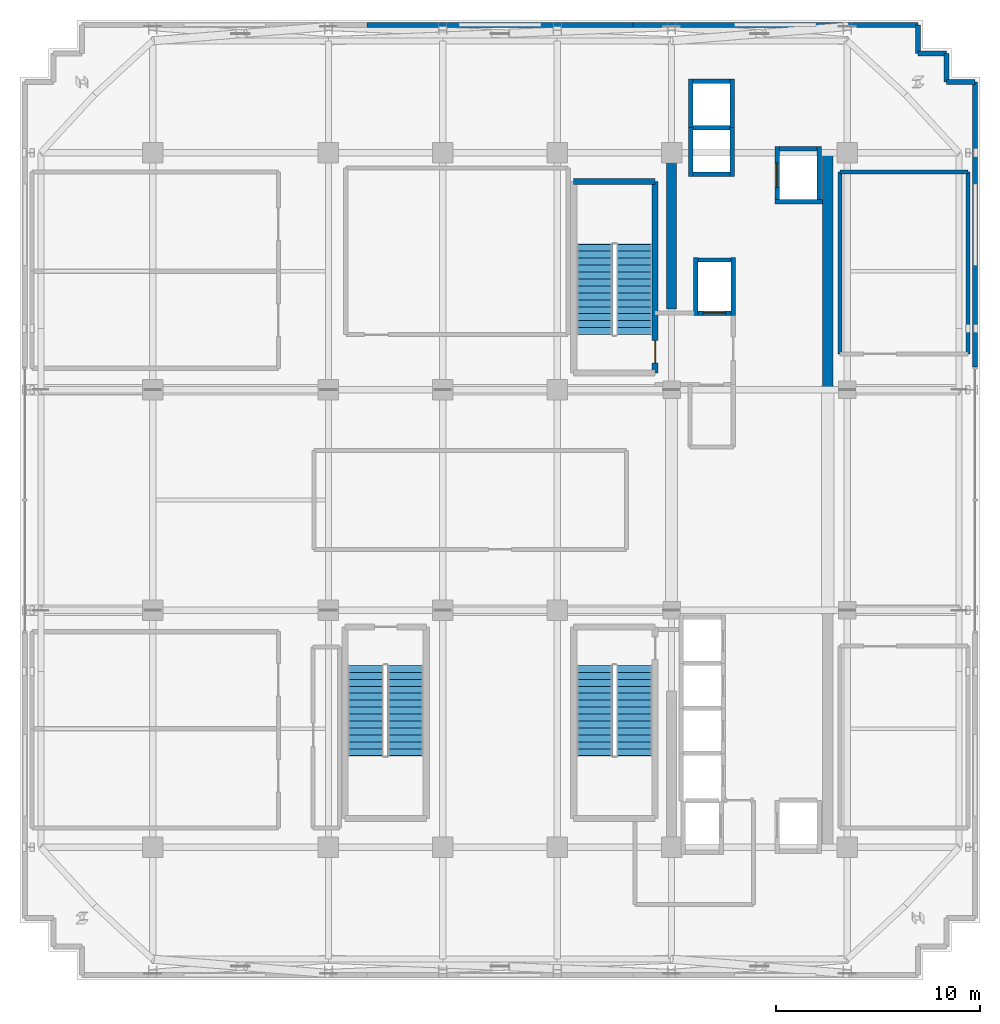
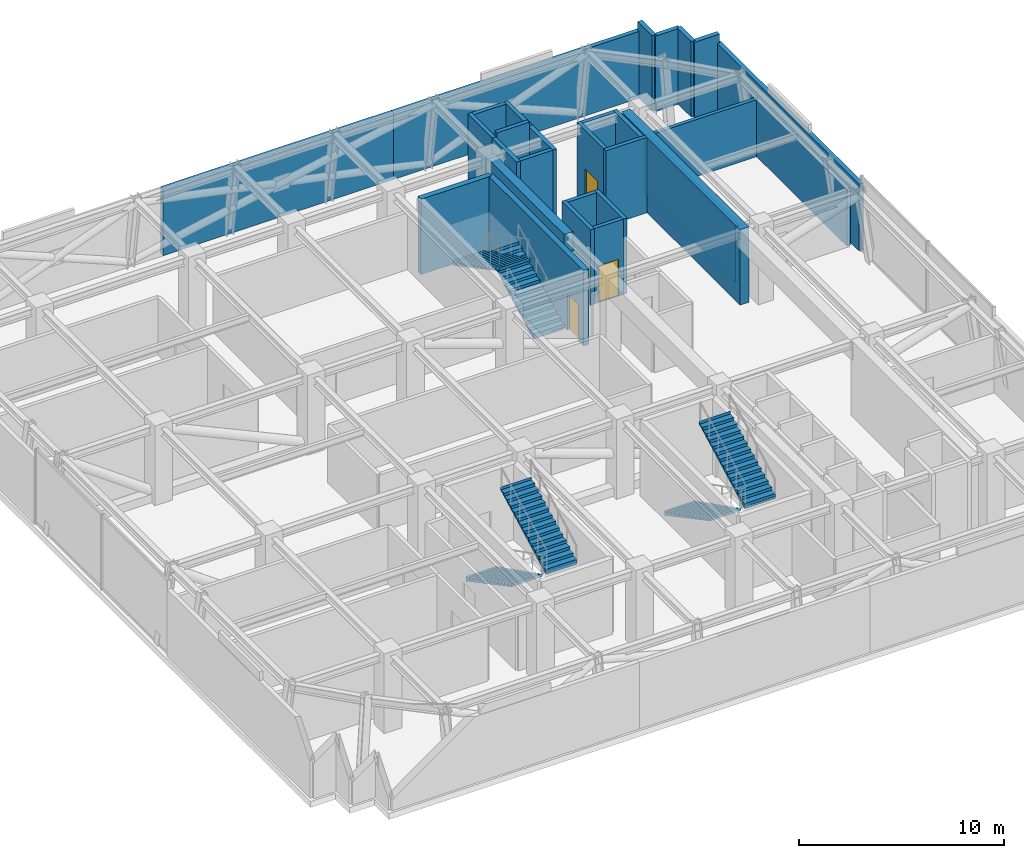
# One storey, part 11 of 15: 29 walls, 6 stair flights, 3 doors, 3 openings, 3 elements without a shape of their own.
"""IFC4 building model written with IfcOpenShell, lengths in metres."""

import ifcopenshell
import ifcopenshell.guid

model = None  # the IFC model being written
_history = None  # IfcOwnerHistory: only IFC2X3 demands one
_inside = {}  # id of a spatial element -> (the spatial element, [elements in it])
_under = {}  # id of a project, library or spatial element -> (it, [spatial elements below it])
_declared = {}  # id of a project -> (the project, [libraries it declares])
_typed = {}  # id of a type object -> (the type object, [elements of that type])
_made_of = {}  # id of a material, layer set ... -> (it, [elements and type objects made of it])


def new_model(schema):
    """Start an empty IFC model of exactly this schema.

    Asked for "IFC4X3", IfcOpenShell would pick the latest addendum, in which some entities
    have other attributes; the version numbers below select the first issue.
    IFC2X3 requires an IfcOwnerHistory on every rooted entity: one is made here for all.
    """
    global model, _history
    if schema == "IFC4X3":
        model = ifcopenshell.file(schema_version=(4, 3, 0, 0))
    else:
        model = ifcopenshell.file(schema=schema)
    _inside.clear()
    _under.clear()
    _declared.clear()
    _typed.clear()
    _made_of.clear()
    _history = None
    if model.schema == "IFC2X3":
        org = make("IfcOrganization", Name="unknown")
        user = make(
            "IfcPersonAndOrganization",
            ThePerson=make("IfcPerson", FamilyName="unknown"),
            TheOrganization=org,
        )
        app = make(
            "IfcApplication",
            ApplicationDeveloper=org,
            Version="unknown",
            ApplicationFullName="unknown",
            ApplicationIdentifier="unknown",
        )
        _history = make(
            "IfcOwnerHistory",
            OwningUser=user,
            OwningApplication=app,
            ChangeAction="ADDED",
            CreationDate=0,
        )
    return model


def make(cls, **values):
    """One entity of the class cls with the attributes given. An attribute that is None is left unset."""
    return model.create_entity(
        cls, **{name: value for name, value in values.items() if value is not None}
    )


def rooted(cls, **values):
    """An entity with a GlobalId (a new one), such as an element, a storey or a relation."""
    return make(cls, GlobalId=ifcopenshell.guid.new(), OwnerHistory=_history, **values)


def si_unit(unit_type, name, prefix=None):
    """IfcSIUnit, for example si_unit("LENGTHUNIT", "METRE", prefix="MILLI")."""
    return make("IfcSIUnit", UnitType=unit_type, Prefix=prefix, Name=name)


def assignment(units):
    """IfcUnitAssignment: the units of a project."""
    return None if units is None else make("IfcUnitAssignment", Units=units)


def point(xyz):
    """IfcCartesianPoint."""
    return None if xyz is None else make("IfcCartesianPoint", Coordinates=xyz)


def direction(xyz):
    """IfcDirection."""
    return None if xyz is None else make("IfcDirection", DirectionRatios=xyz)


def frame(location, z_axis=None, x_axis=None):
    """IfcAxis2Placement3D, a coordinate frame: its origin and axes. An axis left out is left unset."""
    return make(
        "IfcAxis2Placement3D",
        Location=point(location),
        Axis=direction(z_axis),
        RefDirection=direction(x_axis),
    )


def frame_2d(location, x_axis=None):
    """IfcAxis2Placement2D, a coordinate frame in the plane: its origin and x axis."""
    return make(
        "IfcAxis2Placement2D", Location=point(location), RefDirection=direction(x_axis)
    )


def origin():
    """The frame at (0, 0, 0) with its axes left unset."""
    return frame((0.0, 0.0, 0.0))


def place(relative_to, where):
    """IfcLocalPlacement: puts the frame where relative to a parent placement (None: the world)."""
    return make(
        "IfcLocalPlacement", PlacementRelTo=relative_to, RelativePlacement=where
    )


def context(
    kind, dimensions, precision=None, world=None, true_north=None, identifier=None
):
    """IfcGeometricRepresentationContext, for example the 3D "Model" context."""
    return make(
        "IfcGeometricRepresentationContext",
        ContextIdentifier=identifier,
        ContextType=kind,
        CoordinateSpaceDimension=dimensions,
        Precision=precision,
        WorldCoordinateSystem=world,
        TrueNorth=true_north,
    )


def subcontext(parent, identifier, kind, view, scale=None):
    """IfcGeometricRepresentationSubContext, for example "Body" below "Model"."""
    return make(
        "IfcGeometricRepresentationSubContext",
        ContextIdentifier=identifier,
        ContextType=kind,
        ParentContext=parent,
        TargetScale=scale,
        TargetView=view,
    )


def project(units=None, contexts=None):
    """IfcProject with its units and contexts."""
    return rooted(
        "IfcProject",
        Name="project",
        RepresentationContexts=contexts,
        UnitsInContext=assignment(units),
    )


def spatial(cls, under=None, at=None, **own):
    """A site, building, storey or space (cls), placed at a placement, below another one or the project."""
    s = rooted(cls, ObjectPlacement=at, **own)
    if under is not None:
        _under.setdefault(under.id(), (under, []))[1].append(s)
    return s


def polyline(points):
    """IfcPolyline through the points."""
    return make("IfcPolyline", Points=[point(p) for p in points])


def profile(cls, at=None, kind="AREA", **sizes):
    """A parametric profile (cls). Its sizes go by their IFC names, for example OverallWidth=200.0."""
    return make(cls, ProfileType=kind, Position=at, **sizes)


def rectangle(**sizes):
    """IfcRectangleProfileDef."""
    return profile("IfcRectangleProfileDef", **sizes)


def outline(outer, holes=None, kind="AREA"):
    """IfcArbitraryClosedProfileDef: a profile drawn as a closed curve; with holes, ...WithVoids."""
    if holes is None:
        return make("IfcArbitraryClosedProfileDef", ProfileType=kind, OuterCurve=outer)
    return make(
        "IfcArbitraryProfileDefWithVoids",
        ProfileType=kind,
        OuterCurve=outer,
        InnerCurves=holes,
    )


def extrude(swept, where, along, depth):
    """IfcExtrudedAreaSolid: the profile swept, set in the frame where, extruded along a direction by depth."""
    return make(
        "IfcExtrudedAreaSolid",
        SweptArea=swept,
        Position=where,
        ExtrudedDirection=direction(along),
        Depth=depth,
    )


def shape(context_of_items, identifier, shape_type, items):
    """IfcShapeRepresentation: the items that make up one representation, for example the "Body"."""
    return make(
        "IfcShapeRepresentation",
        ContextOfItems=context_of_items,
        RepresentationIdentifier=identifier,
        RepresentationType=shape_type,
        Items=items,
    )


def source(mapping_origin, context_of_items, identifier, shape_type, items):
    """IfcRepresentationMap: a shape defined once, which mapped items show again and again."""
    return make(
        "IfcRepresentationMap",
        MappingOrigin=mapping_origin,
        MappedRepresentation=shape(context_of_items, identifier, shape_type, items),
    )


def transform(
    local_origin,
    x_axis=None,
    y_axis=None,
    z_axis=None,
    scale=None,
    scale2=None,
    scale3=None,
    uniform=True,
):
    """IfcCartesianTransformationOperator3D, or its non-uniform kind. x_axis, y_axis, z_axis: its Axis1, 2, 3."""
    if uniform:
        return make(
            "IfcCartesianTransformationOperator3D",
            Axis1=direction(x_axis),
            Axis2=direction(y_axis),
            LocalOrigin=point(local_origin),
            Scale=scale,
            Axis3=direction(z_axis),
        )
    return make(
        "IfcCartesianTransformationOperator3DnonUniform",
        Axis1=direction(x_axis),
        Axis2=direction(y_axis),
        LocalOrigin=point(local_origin),
        Scale=scale,
        Axis3=direction(z_axis),
        Scale2=scale2,
        Scale3=scale3,
    )


def mapped(mapping_source, mapping_target):
    """IfcMappedItem: shows the shape of a source again, moved by a transform."""
    return make(
        "IfcMappedItem", MappingSource=mapping_source, MappingTarget=mapping_target
    )


def material(Name=None, Category=None):
    """IfcMaterial."""
    return make("IfcMaterial", Name=Name, Category=Category)


def layer(
    of_material, thickness, ventilated=None, Name=None, Category=None, Priority=None
):
    """IfcMaterialLayer: one layer of a wall or slab, of a material (None: an air gap)."""
    return make(
        "IfcMaterialLayer",
        Material=of_material,
        LayerThickness=thickness,
        IsVentilated=ventilated,
        Name=Name,
        Category=Category,
        Priority=Priority,
    )


def layer_set(layers, Name=None):
    """IfcMaterialLayerSet."""
    return make("IfcMaterialLayerSet", MaterialLayers=layers, LayerSetName=Name)


def made_of(thing, what):
    """Note that an element or type object is made of a material, layer set ...; save() writes the relation."""
    if what is not None:
        _made_of.setdefault(what.id(), (what, []))[1].append(thing)
    return thing


def type_object(cls, material=None, **own):
    """A type object (cls), such as IfcWallType, which elements share."""
    return made_of(rooted(cls, **own), material)


def element(
    cls,
    number,
    at=None,
    inside=None,
    cuts=None,
    type_object=None,
    material=None,
    context=None,
    identifier="Body",
    shape_type=None,
    held_by="IfcProductDefinitionShape",
    body=None,
    shapes=None,
    **own,
):
    """One element of the class cls, such as IfcWall. Its Tag is "e" and its number.

    at: its placement. inside: the storey or other place that contains it. cuts: it is an
    opening in that element (IfcRelVoidsElement). A single representation is given by context,
    identifier, shape_type and body (its items); several are given by shapes. held_by: the class
    of the entity that holds the representations. save() writes the other relations.
    """
    e = rooted(cls, Tag="e%d" % number, ObjectPlacement=at, **own)
    if body is not None:
        shapes = [shape(context, identifier, shape_type, body)]
    if shapes is not None:
        e.Representation = make(held_by, Representations=shapes)
    if inside is not None:
        _inside.setdefault(inside.id(), (inside, []))[1].append(e)
    if cuts is not None:
        rooted(
            "IfcRelVoidsElement", RelatingBuildingElement=cuts, RelatedOpeningElement=e
        )
    if type_object is not None:
        _typed.setdefault(type_object.id(), (type_object, []))[1].append(e)
    return made_of(e, material)


def fill(opening, filler):
    """IfcRelFillsElement: the door or window that sits in an opening."""
    return rooted(
        "IfcRelFillsElement",
        RelatingOpeningElement=opening,
        RelatedBuildingElement=filler,
    )


def aggregate(whole, parts):
    """IfcRelAggregates: a whole, such as a stair, and the parts it consists of."""
    return rooted("IfcRelAggregates", RelatingObject=whole, RelatedObjects=parts)


def save(model, path):
    """Write the relations noted so far, then the file.

    IfcRelAggregates (storeys below a building ...), IfcRelContainedInSpatialStructure (elements
    in a storey), IfcRelDefinesByType, IfcRelAssociatesMaterial and IfcRelDeclares: one each for
    every whole, place, type object, material and project.
    """
    for whole, parts in _under.values():
        aggregate(whole, parts)
    for where, things in _inside.values():
        rooted(
            "IfcRelContainedInSpatialStructure",
            RelatedElements=things,
            RelatingStructure=where,
        )
    for kind, things in _typed.values():
        rooted("IfcRelDefinesByType", RelatedObjects=things, RelatingType=kind)
    for what, things in _made_of.values():
        rooted("IfcRelAssociatesMaterial", RelatedObjects=things, RelatingMaterial=what)
    for by, libraries in _declared.values():
        rooted("IfcRelDeclares", RelatingContext=by, RelatedDefinitions=libraries)
    model.write(path)


model = new_model("IFC4")

# Units and contexts
model_context = context("Model", 3, precision=1e-05, world=origin(), true_north=direction((0.0, 1.0)))
body_context = subcontext(model_context, "Body", "Model", "MODEL_VIEW")
ifc_project = project(units=[si_unit("LENGTHUNIT", "METRE"), si_unit("AREAUNIT", "SQUARE_METRE"), si_unit("VOLUMEUNIT", "CUBIC_METRE"), si_unit("PLANEANGLEUNIT", "RADIAN"), si_unit("MASSUNIT", "GRAM", prefix="KILO")], contexts=[model_context])

# Site, building, storey
site_placement = place(None, origin())
site = spatial("IfcSite", under=ifc_project, at=site_placement, CompositionType="ELEMENT")
building_placement = place(site_placement, origin())
building = spatial("IfcBuilding", under=site, at=building_placement, Name="Nahalor Promenade Grand Hotel", CompositionType="ELEMENT")
storey_placement = place(building_placement, frame((0.0, 0.0, 261.5)))
storey = spatial("IfcBuildingStorey", under=building, at=storey_placement, Name="L67", CompositionType="ELEMENT", Elevation=261.5)

# Walls
ifc_material_1 = material(Name="Concrete B-60 (C50/60)", Category="concrete")
ifc_layer_1 = layer(ifc_material_1, 0.5)
ifc_layer_set_1 = layer_set([ifc_layer_1], Name="Concrete B-60 (C50/60)")
wall_type_1 = type_object("IfcWallType", Name="Wall-CoreShear-500", PredefinedType="SHEAR", material=ifc_layer_set_1)
shared_shape_1 = source(origin(), body_context, "Body", "SweptSolid", [
    extrude(rectangle(XDim=7.64990234375, YDim=0.5, at=frame_2d((3.824951171875, 0.0))), origin(), (0.0, 0.0, 1.0), 4.5),
])
wall_1_placement = place(storey_placement, frame((8.39990234375, 9.35009765625, 0.0), z_axis=(0.0, 0.0, 1.0), x_axis=(0.0, 1.0, 0.0)))
element("IfcWall", 1, at=wall_1_placement, inside=storey, type_object=wall_type_1, Name="CWALL-L67-NW", PredefinedType="SHEAR", context=body_context, shape_type="MappedRepresentation", body=[
    mapped(shared_shape_1, transform((0.0, 0.0, 0.0), scale=1.0)),
])
shared_shape_2 = source(origin(), body_context, "Body", "SweptSolid", [
    extrude(rectangle(XDim=11.60009765625, YDim=0.5, at=frame_2d((5.800048828125, 0.0))), origin(), (0.0, 0.0, 1.0), 4.5),
])
wall_2_placement = place(storey_placement, frame((16.050048828125, 5.39990234375, 0.0), z_axis=(0.0, 0.0, 1.0), x_axis=(0.0, 1.0, 0.0)))
element("IfcWall", 2, at=wall_2_placement, inside=storey, type_object=wall_type_1, Name="CWALL-L67-NE", PredefinedType="SHEAR", context=body_context, shape_type="MappedRepresentation", body=[
    mapped(shared_shape_2, transform((0.0, 0.0, 0.0), scale=1.0)),
])
ifc_material_2 = material(Name="Concrete B-50 (C40/50)", Category="concrete")
ifc_layer_2 = layer(ifc_material_2, 0.300048828125)
ifc_layer_set_2 = layer_set([ifc_layer_2], Name="Concrete B-50 (C40/50)")
wall_type_2 = type_object("IfcWallType", Name="Wall-ShaftShear-300", PredefinedType="SHEAR", material=ifc_layer_set_2)
shared_shape_3 = source(origin(), body_context, "Body", "SweptSolid", [
    extrude(rectangle(XDim=3.97998046875, YDim=0.300048828125, at=frame_2d((1.989990234375, 0.0))), origin(), (0.0, 0.0, 1.0), 4.5),
])
wall_3_placement = place(storey_placement, frame((3.610107421875, 15.590087890625, 0.0), z_axis=(0.0, 0.0, 1.0), x_axis=(1.0, 0.0, 0.0)))
element("IfcWall", 3, at=wall_3_placement, inside=storey, type_object=wall_type_2, Name="L67 Exit Stair ST1 Shaft Wall N", PredefinedType="SHEAR", context=body_context, shape_type="MappedRepresentation", body=[
    mapped(shared_shape_3, transform((0.0, 0.0, 0.0), scale=1.0)),
])

# Wall, opening, door
shared_shape_4 = source(origin(), body_context, "Body", "SweptSolid", [
    extrude(rectangle(XDim=9.380126953125, YDim=0.300048828125, at=frame_2d((4.68994140625, 0.0))), origin(), (0.0, 0.0, 1.0), 4.5),
])
wall_4_placement = place(storey_placement, frame((7.590087890625, 6.2099609375, 0.0), z_axis=(0.0, 0.0, 1.0), x_axis=(0.0, 1.0, 0.0)))
wall_4 = element("IfcWall", 4, at=wall_4_placement, inside=storey, type_object=wall_type_2, Name="L67 Exit Stair ST1 Shaft Wall E", PredefinedType="SHEAR", context=body_context, shape_type="MappedRepresentation", body=[
    mapped(shared_shape_4, transform((0.0, 0.0, 0.0), scale=1.0)),
])
opening_1_placement = place(wall_4_placement, frame((0.489990234375, 0.0, 0.0)))
opening_1 = element("IfcOpeningElement", 5, at=opening_1_placement, cuts=wall_4, Name="Opening D-ST1", PredefinedType="OPENING", context=body_context, shape_type="SweptSolid", body=[
    extrude(rectangle(XDim=1.10009765625, YDim=2.14990234375, at=frame_2d((0.550048828125, 1.074951171875))), frame((0.0, 0.159912109375, 0.0), z_axis=(0.0, -1.0, 0.0), x_axis=(1.0, 0.0, 0.0)), (0.0, 0.0, 1.0), 0.320068359375),
])
ifc_material_3 = material(Name="Steel S355JR", Category="steel")
door_type_1 = type_object("IfcDoorType", Name="Door-StairFire-1100", OperationType="NOTDEFINED", PredefinedType="DOOR", material=ifc_material_3)
shared_shape_5 = source(origin(), body_context, "Body", "SweptSolid", [
    extrude(rectangle(XDim=1.10009765625, YDim=2.14990234375, at=frame_2d((0.550048828125, 1.074951171875))), frame((0.0, 0.02490234375, 0.0), z_axis=(0.0, -1.0, 0.0), x_axis=(1.0, 0.0, 0.0)), (0.0, 0.0, 1.0), 0.050048828125),
])
door_1_placement = place(opening_1_placement, origin())
door_1 = element("IfcDoor", 6, at=door_1_placement, inside=storey, type_object=door_type_1, Name="DR-STAIR-ST1-L67", OperationType="SINGLE_SWING_RIGHT", OverallHeight=2.14990234375, OverallWidth=1.10009765625, PredefinedType="DOOR", context=body_context, shape_type="MappedRepresentation", body=[
    mapped(shared_shape_5, transform((0.0, 0.0, 0.0), scale=1.0)),
])
fill(opening_1, door_1)

# Walls
ifc_layer_3 = layer(ifc_material_2, 0.219970703125)
ifc_layer_set_3 = layer_set([ifc_layer_3], Name="Concrete B-50 (C40/50)")
wall_type_3 = type_object("IfcWallType", Name="Wall-LiftShaft-220", PredefinedType="SHEAR", material=ifc_layer_set_3)
shared_shape_6 = source(origin(), body_context, "Body", "SweptSolid", [
    extrude(rectangle(XDim=1.820068359375, YDim=0.219970703125, at=frame_2d((0.91015625, 0.0))), origin(), (0.0, 0.0, 1.0), 4.800048828125),
])
wall_5_placement = place(storey_placement, frame((9.43994140625, 18.22509765625, 0.0), z_axis=(0.0, 0.0, 1.0), x_axis=(1.0, 0.0, 0.0)))
element("IfcWall", 7, at=wall_5_placement, inside=storey, type_object=wall_type_3, Name="L67 Lift OB1 Hoistway Wall N", PredefinedType="SHEAR", context=body_context, shape_type="MappedRepresentation", body=[
    mapped(shared_shape_6, transform((0.0, 0.0, 0.0), scale=1.0)),
])
shared_shape_7 = source(origin(), body_context, "Body", "SweptSolid", [
    extrude(rectangle(XDim=1.820068359375, YDim=0.219970703125, at=frame_2d((0.91015625, 0.0))), origin(), (0.0, 0.0, 1.0), 4.5),
])
for number, where, z_axis, x_axis, name in (
    (8, (9.43994140625, 15.949951171875, 0.0), (0.0, 0.0, 1.0), (1.0, 0.0, 0.0), "L67 Lift OB1 Hoistway Wall S"),
    (9, (9.43994140625, 20.5, 0.0), (0.0, 0.0, 1.0), (1.0, 0.0, 0.0), "L67 Lift OB2 Hoistway Wall N"),
    (10, (13.68994140625, 17.199951171875, 0.0), (0.0, 0.0, 1.0), (1.0, 0.0, 0.0), "L67 Lift SV1 Hoistway Wall N"),
):
    element("IfcWall", number, at=place(storey_placement, frame(where, z_axis=z_axis, x_axis=x_axis)), inside=storey, type_object=wall_type_3, Name=name, PredefinedType="SHEAR", context=body_context, shape_type="MappedRepresentation", body=[
        mapped(shared_shape_7, transform((0.0, 0.0, 0.0), scale=1.0)),
    ])
shared_shape_8 = source(origin(), body_context, "Body", "SweptSolid", [
    extrude(rectangle(XDim=2.385009765625, YDim=0.219970703125, at=frame_2d((1.1923828125, 0.0))), origin(), (0.0, 0.0, 1.0), 4.5),
])
for number, where, z_axis, x_axis, name in (
    (11, (9.330078125, 15.840087890625, 0.0), (0.0, 0.0, 1.0), (0.0, 1.0, 0.0), "L67 Lift OB1 Hoistway Wall W"),
    (12, (11.3701171875, 15.840087890625, 0.0), (0.0, 0.0, 1.0), (0.0, 1.0, 0.0), "L67 Lift OB1 Hoistway Wall E"),
    (13, (9.330078125, 18.22509765625, 0.0), (0.0, 0.0, 1.0), (0.0, 1.0, 0.0), "L67 Lift OB2 Hoistway Wall W"),
    (14, (11.3701171875, 18.22509765625, 0.0), (0.0, 0.0, 1.0), (0.0, 1.0, 0.0), "L67 Lift OB2 Hoistway Wall E"),
):
    element("IfcWall", number, at=place(storey_placement, frame(where, z_axis=z_axis, x_axis=x_axis)), inside=storey, type_object=wall_type_3, Name=name, PredefinedType="SHEAR", context=body_context, shape_type="MappedRepresentation", body=[
        mapped(shared_shape_8, transform((0.0, 0.0, 0.0), scale=1.0)),
    ])
shared_shape_9 = source(origin(), body_context, "Body", "SweptSolid", [
    extrude(rectangle(XDim=2.820068359375, YDim=0.219970703125, at=frame_2d((1.41015625, 0.0))), origin(), (0.0, 0.0, 1.0), 4.5),
])
for number, where, z_axis, x_axis, name in (
    (15, (9.580078125, 9.0400390625, 0.0), (0.0, 0.0, 1.0), (0.0, 1.0, 0.0), "L67 Lift FL1 Hoistway Wall W"),
    (16, (11.419921875, 9.0400390625, 0.0), (0.0, 0.0, 1.0), (0.0, 1.0, 0.0), "L67 Lift FL1 Hoistway Wall E"),
):
    element("IfcWall", number, at=place(storey_placement, frame(where, z_axis=z_axis, x_axis=x_axis)), inside=storey, type_object=wall_type_3, Name=name, PredefinedType="SHEAR", context=body_context, shape_type="MappedRepresentation", body=[
        mapped(shared_shape_9, transform((0.0, 0.0, 0.0), scale=1.0)),
    ])

# Wall, opening, door
shared_shape_10 = source(origin(), body_context, "Body", "SweptSolid", [
    extrude(rectangle(XDim=1.6201171875, YDim=0.219970703125, at=frame_2d((0.81005859375, 0.0))), origin(), (0.0, 0.0, 1.0), 4.5),
])
wall_6_placement = place(storey_placement, frame((9.68994140625, 9.14990234375, 0.0), z_axis=(0.0, 0.0, 1.0), x_axis=(1.0, 0.0, 0.0)))
wall_6 = element("IfcWall", 17, at=wall_6_placement, inside=storey, type_object=wall_type_3, Name="L67 Lift FL1 Hoistway Wall S", PredefinedType="SHEAR", context=body_context, shape_type="MappedRepresentation", body=[
    mapped(shared_shape_10, transform((0.0, 0.0, 0.0), scale=1.0)),
])
opening_2_placement = place(wall_6_placement, frame((0.260009765625, 0.0, 0.0)))
opening_2 = element("IfcOpeningElement", 18, at=opening_2_placement, cuts=wall_6, Name="Opening LD-02", PredefinedType="OPENING", context=body_context, shape_type="SweptSolid", body=[
    extrude(rectangle(XDim=1.10009765625, YDim=2.199951171875, at=frame_2d((0.550048828125, 1.10009765625))), frame((0.0, 0.119873046875, 0.0), z_axis=(0.0, -1.0, 0.0), x_axis=(1.0, 0.0, 0.0)), (0.0, 0.0, 1.0), 0.239990234375),
])
door_type_2 = type_object("IfcDoorType", Name="Door-LiftFF-1100", OperationType="DOUBLE_DOOR_SLIDING", PredefinedType="DOOR", material=ifc_material_3)
shared_shape_11 = source(origin(), body_context, "Body", "SweptSolid", [
    extrude(rectangle(XDim=1.10009765625, YDim=2.199951171875, at=frame_2d((0.550048828125, 1.10009765625))), frame((0.0, 0.02490234375, 0.0), z_axis=(0.0, -1.0, 0.0), x_axis=(1.0, 0.0, 0.0)), (0.0, 0.0, 1.0), 0.050048828125),
])
door_2_placement = place(opening_2_placement, frame((1.10009765625, 0.0, 0.0), z_axis=(0.0, 0.0, 1.0), x_axis=(-1.0, 0.0, 0.0)))
door_2 = element("IfcDoor", 19, at=door_2_placement, inside=storey, type_object=door_type_2, Name="DR-LIFT-FL1-L67", OperationType="DOUBLE_DOOR_SLIDING", OverallHeight=2.199951171875, OverallWidth=1.10009765625, PredefinedType="DOOR", context=body_context, shape_type="MappedRepresentation", body=[
    mapped(shared_shape_11, transform((0.0, 0.0, 0.0), scale=1.0)),
])
fill(opening_2, door_2)

# Wall
wall_7_placement = place(storey_placement, frame((9.68994140625, 11.75, 0.0), z_axis=(0.0, 0.0, 1.0), x_axis=(1.0, 0.0, 0.0)))
element("IfcWall", 20, at=wall_7_placement, inside=storey, type_object=wall_type_3, Name="L67 Lift FL1 Hoistway Wall N", PredefinedType="SHEAR", context=body_context, shape_type="MappedRepresentation", body=[
    mapped(shared_shape_10, transform((0.0, 0.0, 0.0), scale=1.0)),
])

# Wall, opening, door
shared_shape_12 = source(origin(), body_context, "Body", "SweptSolid", [
    extrude(rectangle(XDim=2.60009765625, YDim=0.219970703125, at=frame_2d((1.300048828125, 0.0))), origin(), (0.0, 0.0, 1.0), 4.5),
])
wall_8_placement = place(storey_placement, frame((13.580078125, 14.7099609375, 0.0), z_axis=(0.0, 0.0, 1.0), x_axis=(0.0, 1.0, 0.0)))
wall_8 = element("IfcWall", 21, at=wall_8_placement, inside=storey, type_object=wall_type_3, Name="L67 Lift SV1 Hoistway Wall W", PredefinedType="SHEAR", context=body_context, shape_type="MappedRepresentation", body=[
    mapped(shared_shape_12, transform((0.0, 0.0, 0.0), scale=1.0)),
])
opening_3_placement = place(wall_8_placement, frame((0.590087890625, 0.0, 0.0)))
opening_3 = element("IfcOpeningElement", 22, at=opening_3_placement, cuts=wall_8, Name="Opening LD-03", PredefinedType="OPENING", context=body_context, shape_type="SweptSolid", body=[
    extrude(rectangle(XDim=1.199951171875, YDim=2.199951171875, at=frame_2d((0.60009765625, 1.10009765625))), frame((0.0, 0.119873046875, 0.0), z_axis=(0.0, -1.0, 0.0), x_axis=(1.0, 0.0, 0.0)), (0.0, 0.0, 1.0), 0.239990234375),
])
door_type_3 = type_object("IfcDoorType", Name="Door-LiftService-1200", OperationType="DOUBLE_DOOR_SLIDING", PredefinedType="DOOR", material=ifc_material_3)
shared_shape_13 = source(origin(), body_context, "Body", "SweptSolid", [
    extrude(rectangle(XDim=1.199951171875, YDim=2.199951171875, at=frame_2d((0.60009765625, 1.10009765625))), frame((0.0, 0.02490234375, 0.0), z_axis=(0.0, -1.0, 0.0), x_axis=(1.0, 0.0, 0.0)), (0.0, 0.0, 1.0), 0.050048828125),
])
door_3_placement = place(opening_3_placement, origin())
door_3 = element("IfcDoor", 23, at=door_3_placement, inside=storey, type_object=door_type_3, Name="DR-LIFT-SV1-L67", OperationType="DOUBLE_DOOR_SLIDING", OverallHeight=2.199951171875, OverallWidth=1.199951171875, PredefinedType="DOOR", context=body_context, shape_type="MappedRepresentation", body=[
    mapped(shared_shape_13, transform((0.0, 0.0, 0.0), scale=1.0)),
])
fill(opening_3, door_3)

# Walls
wall_9_placement = place(storey_placement, frame((15.6201171875, 14.7099609375, 0.0), z_axis=(0.0, 0.0, 1.0), x_axis=(0.0, 1.0, 0.0)))
element("IfcWall", 24, at=wall_9_placement, inside=storey, type_object=wall_type_3, Name="L67 Lift SV1 Hoistway Wall E", PredefinedType="SHEAR", context=body_context, shape_type="MappedRepresentation", body=[
    mapped(shared_shape_12, transform((0.0, 0.0, 0.0), scale=1.0)),
])
shared_shape_14 = source(origin(), body_context, "Body", "SweptSolid", [
    extrude(rectangle(XDim=2.330078125, YDim=0.219970703125, at=frame_2d((1.1650390625, 0.0))), origin(), (0.0, 0.0, 1.0), 4.5),
])
wall_10_placement = place(storey_placement, frame((13.469970703125, 14.60009765625, 0.0), z_axis=(0.0, 0.0, 1.0), x_axis=(1.0, 0.0, 0.0)))
element("IfcWall", 25, at=wall_10_placement, inside=storey, type_object=wall_type_3, Name="L67 Lift SV1 Hoistway Wall S", PredefinedType="SHEAR", context=body_context, shape_type="MappedRepresentation", body=[
    mapped(shared_shape_14, transform((0.0, 0.0, 0.0), scale=1.0)),
])
ifc_material_4 = material(Name="Concrete B-40 (C32/40)", Category="concrete")
ifc_layer_4 = layer(ifc_material_4, 0.25)
ifc_layer_set_4 = layer_set([ifc_layer_4], Name="Concrete B-40 (C32/40)")
wall_type_4 = type_object("IfcWallType", Name="Wall-BronzePier-250", PredefinedType="STANDARD", material=ifc_layer_set_4)
shared_shape_15 = source(origin(), body_context, "Body", "SweptSolid", [
    extrude(rectangle(XDim=1.39990234375, YDim=0.25, at=frame_2d((0.699951171875, 0.0))), origin(), (0.0, 0.0, 1.0), 4.5),
])
for number, where, z_axis, x_axis, name in (
    (26, (21.860107421875, 20.4599609375, 0.0), (0.0, 0.0, 1.0), (1.0, 0.0, 0.0), "W-L67-SR-05"),
    (27, (20.4599609375, 21.860107421875, 0.0), (0.0, 0.0, 1.0), (0.0, 1.0, 0.0), "W-L67-SR-08"),
):
    element("IfcWall", number, at=place(storey_placement, frame(where, z_axis=z_axis, x_axis=x_axis)), inside=storey, type_object=wall_type_4, Name=name, PredefinedType="STANDARD", context=body_context, shape_type="MappedRepresentation", body=[
        mapped(shared_shape_15, transform((0.0, 0.0, 0.0), scale=1.0)),
    ])
shared_shape_16 = source(origin(), body_context, "Body", "SweptSolid", [
    extrude(rectangle(XDim=1.400146484375, YDim=0.25, at=frame_2d((0.7001953125, 0.0))), origin(), (0.0, 0.0, 1.0), 4.5),
])
for number, where, z_axis, x_axis, name in (
    (28, (21.860107421875, 20.4599609375, 0.0), (0.0, 0.0, 1.0), (0.0, 1.0, 0.0), "W-L67-SR-06"),
    (29, (20.4599609375, 21.860107421875, 0.0), (0.0, 0.0, 1.0), (1.0, 0.0, 0.0), "W-L67-SR-07"),
):
    element("IfcWall", number, at=place(storey_placement, frame(where, z_axis=z_axis, x_axis=x_axis)), inside=storey, type_object=wall_type_4, Name=name, PredefinedType="STANDARD", context=body_context, shape_type="MappedRepresentation", body=[
        mapped(shared_shape_16, transform((0.0, 0.0, 0.0), scale=1.0)),
    ])
shared_shape_17 = source(origin(), body_context, "Body", "SweptSolid", [
    extrude(rectangle(XDim=13.9599609375, YDim=0.25, at=frame_2d((6.97998046875, 0.0))), origin(), (0.0, 0.0, 1.0), 3.97998046875),
])
for number, where, z_axis, x_axis, name in (
    (30, (6.5, 23.260009765625, 0.0), (0.0, 0.0, 1.0), (1.0, 0.0, 0.0), "W-L67-PL-NR"),
    (31, (23.260009765625, 6.5, 0.0), (0.0, 0.0, 1.0), (0.0, 1.0, 0.0), "W-L67-PL-ER"),
):
    element("IfcWall", number, at=place(storey_placement, frame(where, z_axis=z_axis, x_axis=x_axis)), inside=storey, type_object=wall_type_4, Name=name, PredefinedType="STANDARD", context=body_context, shape_type="MappedRepresentation", body=[
        mapped(shared_shape_17, transform((0.0, 0.0, 0.0), scale=1.0)),
    ])
shared_shape_18 = source(origin(), body_context, "Body", "SweptSolid", [
    extrude(rectangle(XDim=13.0, YDim=0.25, at=frame_2d((6.5, 0.0))), origin(), (0.0, 0.0, 1.0), 3.97998046875),
])
wall_11_placement = place(storey_placement, frame((-6.5, 23.260009765625, 0.0), z_axis=(0.0, 0.0, 1.0), x_axis=(1.0, 0.0, 0.0)))
element("IfcWall", 32, at=wall_11_placement, inside=storey, type_object=wall_type_4, Name="W-L67-PL-NM", PredefinedType="STANDARD", context=body_context, shape_type="MappedRepresentation", body=[
    mapped(shared_shape_18, transform((0.0, 0.0, 0.0), scale=1.0)),
])
ifc_layer_5 = layer(ifc_material_4, 0.199951171875)
ifc_layer_set_5 = layer_set([ifc_layer_5], Name="Concrete B-40 (C32/40)")
wall_type_5 = type_object("IfcWallType", Name="Wall-PartFire-200", PredefinedType="PARTITIONING", material=ifc_layer_set_5)
shared_shape_19 = source(origin(), body_context, "Body", "SweptSolid", [
    extrude(rectangle(XDim=8.900146484375, YDim=0.199951171875, at=frame_2d((4.4501953125, 0.0))), origin(), (0.0, 0.0, 1.0), 3.39990234375),
])
for number, where, z_axis, x_axis, name in (
    (33, (16.64990234375, 7.14990234375, 0.0), (0.0, 0.0, 1.0), (0.0, 1.0, 0.0), "W-L67-MP5-W"),
    (34, (22.919921875, 7.14990234375, 0.0), (0.0, 0.0, 1.0), (0.0, 1.0, 0.0), "W-L67-MP5-E"),
):
    element("IfcWall", number, at=place(storey_placement, frame(where, z_axis=z_axis, x_axis=x_axis)), inside=storey, type_object=wall_type_5, Name=name, PredefinedType="PARTITIONING", context=body_context, shape_type="MappedRepresentation", body=[
        mapped(shared_shape_19, transform((0.0, 0.0, 0.0), scale=1.0)),
    ])
shared_shape_20 = source(origin(), body_context, "Body", "SweptSolid", [
    extrude(rectangle(XDim=6.27001953125, YDim=0.199951171875, at=frame_2d((3.135009765625, 0.0))), origin(), (0.0, 0.0, 1.0), 3.39990234375),
])
wall_12_placement = place(storey_placement, frame((16.64990234375, 16.050048828125, 0.0), z_axis=(0.0, 0.0, 1.0), x_axis=(1.0, 0.0, 0.0)))
element("IfcWall", 35, at=wall_12_placement, inside=storey, type_object=wall_type_5, Name="W-L67-MP5-N", PredefinedType="PARTITIONING", context=body_context, shape_type="MappedRepresentation", body=[
    mapped(shared_shape_20, transform((0.0, 0.0, 0.0), scale=1.0)),
])

# Stair, stair flights
stair_type_1 = type_object("IfcStairType", Name="Stair-ST1", PredefinedType="HALF_TURN_STAIR", material=ifc_material_2)
stair_1_placement = place(storey_placement, origin())
stair_1 = element("IfcStair", 36, at=stair_1_placement, inside=storey, type_object=stair_type_1, Name="L67 ST1", PredefinedType="HALF_TURN_STAIR")
ifc_layer_6 = layer(ifc_material_2, 0.179931640625)
ifc_layer_set_6 = layer_set([ifc_layer_6], Name="Concrete B-50 (C40/50)")
stair_flight_type_1 = type_object("IfcStairFlightType", Name="Flight-ST1", PredefinedType="STRAIGHT", material=ifc_layer_set_6)
shared_shape_21 = source(origin(), body_context, "Body", "SweptSolid", [
    extrude(outline(polyline([(-0.00390625, -0.1201171875), (-0.00390625, 0.0), (0.0, 0.0), (0.0, 0.17138671875), (0.340087890625, 0.17138671875), (0.340087890625, 0.3427734375), (0.679931640625, 0.3427734375), (0.679931640625, 0.514404296875), (1.02001953125, 0.514404296875), (1.02001953125, 0.685791015625), (1.360107421875, 0.685791015625), (1.360107421875, 0.857177734375), (1.699951171875, 0.857177734375), (1.699951171875, 1.028564453125), (2.0400390625, 1.028564453125), (2.0400390625, 1.199951171875), (2.3798828125, 1.199951171875), (2.3798828125, 1.371337890625), (2.719970703125, 1.371337890625), (2.719970703125, 1.54296875), (3.06005859375, 1.54296875), (3.06005859375, 1.71435546875), (3.39990234375, 1.71435546875), (3.39990234375, 1.8857421875), (3.739990234375, 1.8857421875), (3.739990234375, 2.05712890625), (4.080078125, 2.05712890625), (4.080078125, 2.228515625), (4.419921875, 2.228515625), (4.419921875, 2.39990234375), (4.424072265625, 2.39990234375), (4.424072265625, 2.219970703125), (0.02001953125, -0.1201171875), (-0.00390625, -0.1201171875)])), frame((0.0, 0.875, 0.0), z_axis=(0.0, -1.0, 0.0), x_axis=(1.0, 0.0, 0.0)), (0.0, 0.0, 1.0), 1.75),
])
stair_flight_1_placement = place(storey_placement, frame((6.574951171875, 8.10009765625, 0.0), z_axis=(0.0, 0.0, 1.0), x_axis=(0.0, 1.0, 0.0)))
stair_flight_1 = element("IfcStairFlight", 37, at=stair_flight_1_placement, type_object=stair_flight_type_1, Name="ST1 flight 1", NumberOfRisers=14, NumberOfTreads=13, PredefinedType="STRAIGHT", RiserHeight=0.171428571, TreadLength=0.34, context=body_context, shape_type="MappedRepresentation", body=[
    mapped(shared_shape_21, transform((0.0, 0.0, 0.0), scale=1.0)),
])
stair_flight_2_placement = place(storey_placement, frame((4.625, 12.52001953125, 2.39990234375), z_axis=(0.0, 0.0, 1.0), x_axis=(0.0, -1.0, 0.0)))
stair_flight_2 = element("IfcStairFlight", 38, at=stair_flight_2_placement, type_object=stair_flight_type_1, Name="ST1 flight 2", NumberOfRisers=14, NumberOfTreads=13, PredefinedType="STRAIGHT", RiserHeight=0.171428571, TreadLength=0.34, context=body_context, shape_type="MappedRepresentation", body=[
    mapped(shared_shape_21, transform((0.0, 0.0, 0.0), scale=1.0)),
])
aggregate(stair_1, [stair_flight_1, stair_flight_2])

stair_type_2 = type_object("IfcStairType", Name="Stair-ST2", PredefinedType="HALF_TURN_STAIR", material=ifc_material_2)
stair_2_placement = place(storey_placement, origin())
stair_2 = element("IfcStair", 39, at=stair_2_placement, inside=storey, type_object=stair_type_2, Name="L67 ST2", PredefinedType="HALF_TURN_STAIR")
ifc_layer_7 = layer(ifc_material_2, 0.18994140625)
ifc_layer_set_7 = layer_set([ifc_layer_7], Name="Concrete B-50 (C40/50)")
stair_flight_type_2 = type_object("IfcStairFlightType", Name="Flight-ST2", PredefinedType="STRAIGHT", material=ifc_layer_set_7)
shared_shape_22 = source(origin(), body_context, "Body", "SweptSolid", [
    extrude(outline(polyline([(-0.00390625, -0.1201171875), (-0.00390625, 0.0), (0.0, 0.0), (0.0, 0.17138671875), (0.340087890625, 0.17138671875), (0.340087890625, 0.3427734375), (0.679931640625, 0.3427734375), (0.679931640625, 0.514404296875), (1.02001953125, 0.514404296875), (1.02001953125, 0.685791015625), (1.360107421875, 0.685791015625), (1.360107421875, 0.857177734375), (1.699951171875, 0.857177734375), (1.699951171875, 1.028564453125), (2.0400390625, 1.028564453125), (2.0400390625, 1.199951171875), (2.3798828125, 1.199951171875), (2.3798828125, 1.371337890625), (2.719970703125, 1.371337890625), (2.719970703125, 1.54296875), (3.06005859375, 1.54296875), (3.06005859375, 1.71435546875), (3.39990234375, 1.71435546875), (3.39990234375, 1.8857421875), (3.739990234375, 1.8857421875), (3.739990234375, 2.05712890625), (4.080078125, 2.05712890625), (4.080078125, 2.228515625), (4.419921875, 2.228515625), (4.419921875, 2.39990234375), (4.424072265625, 2.39990234375), (4.424072265625, 2.219970703125), (0.02001953125, -0.1201171875), (-0.00390625, -0.1201171875)])), frame((0.0, 0.875, 0.0), z_axis=(0.0, -1.0, 0.0), x_axis=(1.0, 0.0, 0.0)), (0.0, 0.0, 1.0), 1.75),
])
stair_flight_3_placement = place(storey_placement, frame((4.625, -8.10009765625, 0.0), z_axis=(0.0, 0.0, 1.0), x_axis=(0.0, -1.0, 0.0)))
stair_flight_3 = element("IfcStairFlight", 40, at=stair_flight_3_placement, type_object=stair_flight_type_2, Name="ST2 flight 1", NumberOfRisers=14, NumberOfTreads=13, PredefinedType="STRAIGHT", RiserHeight=0.171428571, TreadLength=0.34, context=body_context, shape_type="MappedRepresentation", body=[
    mapped(shared_shape_22, transform((0.0, 0.0, 0.0), scale=1.0)),
])
stair_flight_4_placement = place(storey_placement, frame((6.574951171875, -12.52001953125, 2.39990234375), z_axis=(0.0, 0.0, 1.0), x_axis=(0.0, 1.0, 0.0)))
stair_flight_4 = element("IfcStairFlight", 41, at=stair_flight_4_placement, type_object=stair_flight_type_2, Name="ST2 flight 2", NumberOfRisers=14, NumberOfTreads=13, PredefinedType="STRAIGHT", RiserHeight=0.171428571, TreadLength=0.34, context=body_context, shape_type="MappedRepresentation", body=[
    mapped(shared_shape_22, transform((0.0, 0.0, 0.0), scale=1.0)),
])
aggregate(stair_2, [stair_flight_3, stair_flight_4])

stair_type_3 = type_object("IfcStairType", Name="Stair-ST3", PredefinedType="HALF_TURN_STAIR", material=ifc_material_2)
stair_3_placement = place(storey_placement, origin())
stair_3 = element("IfcStair", 42, at=stair_3_placement, inside=storey, type_object=stair_type_3, Name="L67 ST3", PredefinedType="HALF_TURN_STAIR")
ifc_layer_8 = layer(ifc_material_2, 0.199951171875)
ifc_layer_set_8 = layer_set([ifc_layer_8], Name="Concrete B-50 (C40/50)")
stair_flight_type_3 = type_object("IfcStairFlightType", Name="Flight-ST3", PredefinedType="STRAIGHT", material=ifc_layer_set_8)
shared_shape_23 = source(origin(), body_context, "Body", "SweptSolid", [
    extrude(outline(polyline([(-0.00390625, -0.1201171875), (-0.00390625, 0.0), (0.0, 0.0), (0.0, 0.17138671875), (0.340087890625, 0.17138671875), (0.340087890625, 0.3427734375), (0.679931640625, 0.3427734375), (0.679931640625, 0.514404296875), (1.02001953125, 0.514404296875), (1.02001953125, 0.685791015625), (1.360107421875, 0.685791015625), (1.360107421875, 0.857177734375), (1.699951171875, 0.857177734375), (1.699951171875, 1.028564453125), (2.0400390625, 1.028564453125), (2.0400390625, 1.199951171875), (2.3798828125, 1.199951171875), (2.3798828125, 1.371337890625), (2.719970703125, 1.371337890625), (2.719970703125, 1.54296875), (3.06005859375, 1.54296875), (3.06005859375, 1.71435546875), (3.39990234375, 1.71435546875), (3.39990234375, 1.8857421875), (3.739990234375, 1.8857421875), (3.739990234375, 2.05712890625), (4.080078125, 2.05712890625), (4.080078125, 2.228515625), (4.419921875, 2.228515625), (4.419921875, 2.39990234375), (4.424072265625, 2.39990234375), (4.424072265625, 2.219970703125), (0.02001953125, -0.1201171875), (-0.00390625, -0.1201171875)])), frame((0.0, 0.875, 0.0), z_axis=(0.0, -1.0, 0.0), x_axis=(1.0, 0.0, 0.0)), (0.0, 0.0, 1.0), 1.75),
])
stair_flight_5_placement = place(storey_placement, frame((-6.574951171875, -8.10009765625, 0.0), z_axis=(0.0, 0.0, 1.0), x_axis=(0.0, -1.0, 0.0)))
stair_flight_5 = element("IfcStairFlight", 43, at=stair_flight_5_placement, type_object=stair_flight_type_3, Name="ST3 flight 1", NumberOfRisers=14, NumberOfTreads=13, PredefinedType="STRAIGHT", RiserHeight=0.171428571, TreadLength=0.34, context=body_context, shape_type="MappedRepresentation", body=[
    mapped(shared_shape_23, transform((0.0, 0.0, 0.0), scale=1.0)),
])
stair_flight_6_placement = place(storey_placement, frame((-4.625, -12.52001953125, 2.39990234375), z_axis=(0.0, 0.0, 1.0), x_axis=(0.0, 1.0, 0.0)))
stair_flight_6 = element("IfcStairFlight", 44, at=stair_flight_6_placement, type_object=stair_flight_type_3, Name="ST3 flight 2", NumberOfRisers=14, NumberOfTreads=13, PredefinedType="STRAIGHT", RiserHeight=0.171428571, TreadLength=0.34, context=body_context, shape_type="MappedRepresentation", body=[
    mapped(shared_shape_23, transform((0.0, 0.0, 0.0), scale=1.0)),
])
aggregate(stair_3, [stair_flight_5, stair_flight_6])

save(model, "model.ifc")
